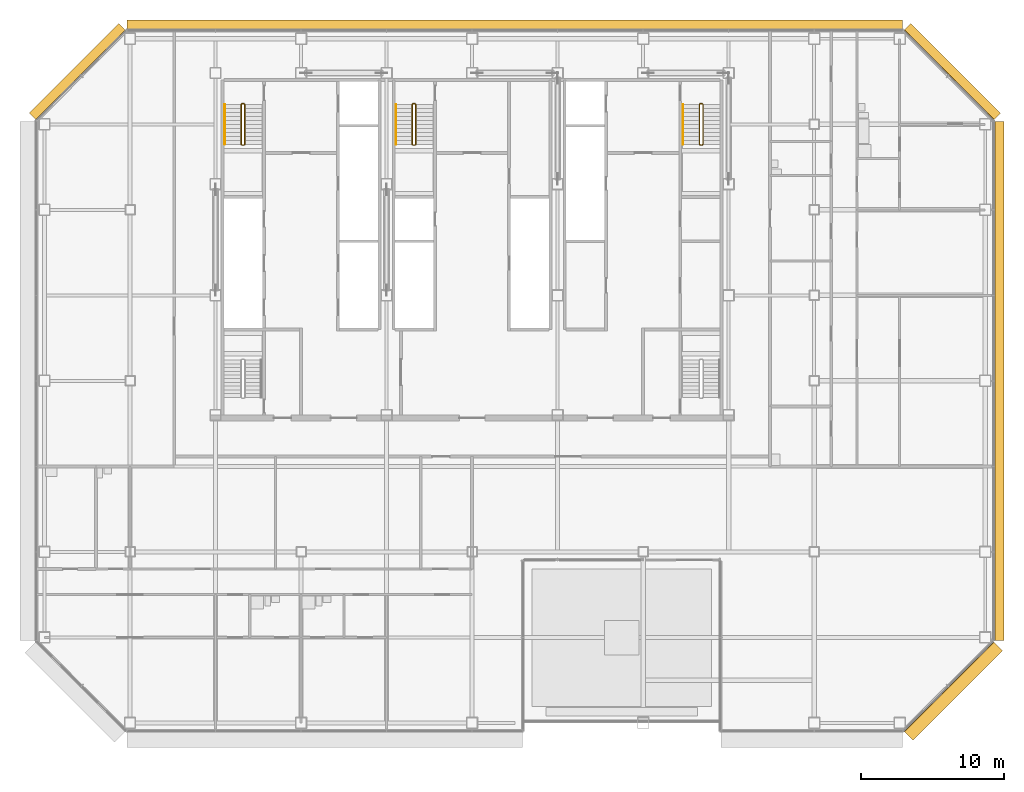
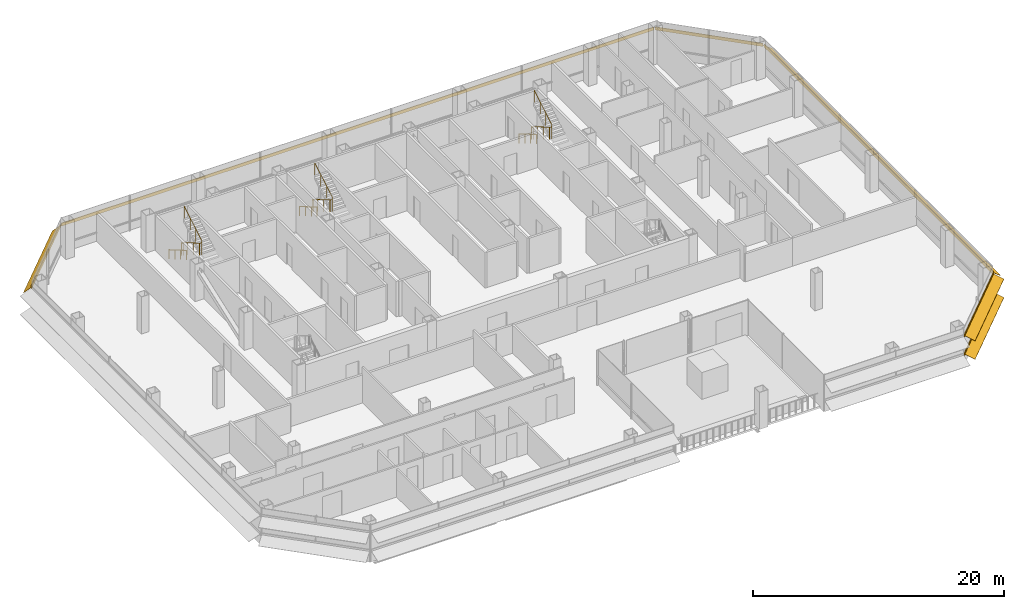
# One storey, part 24 of 26: 6 railings, 5 shading devices.
"""IFC4 building model written with IfcOpenShell, lengths in metres."""

import ifcopenshell
import ifcopenshell.guid

model = None  # the IFC model being written
_history = None  # IfcOwnerHistory: only IFC2X3 demands one
_inside = {}  # id of a spatial element -> (the spatial element, [elements in it])
_under = {}  # id of a project, library or spatial element -> (it, [spatial elements below it])
_declared = {}  # id of a project -> (the project, [libraries it declares])
_typed = {}  # id of a type object -> (the type object, [elements of that type])
_made_of = {}  # id of a material, layer set ... -> (it, [elements and type objects made of it])


def new_model(schema):
    """Start an empty IFC model of exactly this schema.

    Asked for "IFC4X3", IfcOpenShell would pick the latest addendum, in which some entities
    have other attributes; the version numbers below select the first issue.
    IFC2X3 requires an IfcOwnerHistory on every rooted entity: one is made here for all.
    """
    global model, _history
    if schema == "IFC4X3":
        model = ifcopenshell.file(schema_version=(4, 3, 0, 0))
    else:
        model = ifcopenshell.file(schema=schema)
    _inside.clear()
    _under.clear()
    _declared.clear()
    _typed.clear()
    _made_of.clear()
    _history = None
    if model.schema == "IFC2X3":
        org = make("IfcOrganization", Name="unknown")
        user = make(
            "IfcPersonAndOrganization",
            ThePerson=make("IfcPerson", FamilyName="unknown"),
            TheOrganization=org,
        )
        app = make(
            "IfcApplication",
            ApplicationDeveloper=org,
            Version="unknown",
            ApplicationFullName="unknown",
            ApplicationIdentifier="unknown",
        )
        _history = make(
            "IfcOwnerHistory",
            OwningUser=user,
            OwningApplication=app,
            ChangeAction="ADDED",
            CreationDate=0,
        )
    return model


def make(cls, **values):
    """One entity of the class cls with the attributes given. An attribute that is None is left unset."""
    return model.create_entity(
        cls, **{name: value for name, value in values.items() if value is not None}
    )


def rooted(cls, **values):
    """An entity with a GlobalId (a new one), such as an element, a storey or a relation."""
    return make(cls, GlobalId=ifcopenshell.guid.new(), OwnerHistory=_history, **values)


def si_unit(unit_type, name, prefix=None):
    """IfcSIUnit, for example si_unit("LENGTHUNIT", "METRE", prefix="MILLI")."""
    return make("IfcSIUnit", UnitType=unit_type, Prefix=prefix, Name=name)


def assignment(units):
    """IfcUnitAssignment: the units of a project."""
    return None if units is None else make("IfcUnitAssignment", Units=units)


def point(xyz):
    """IfcCartesianPoint."""
    return None if xyz is None else make("IfcCartesianPoint", Coordinates=xyz)


def direction(xyz):
    """IfcDirection."""
    return None if xyz is None else make("IfcDirection", DirectionRatios=xyz)


def frame(location, z_axis=None, x_axis=None):
    """IfcAxis2Placement3D, a coordinate frame: its origin and axes. An axis left out is left unset."""
    return make(
        "IfcAxis2Placement3D",
        Location=point(location),
        Axis=direction(z_axis),
        RefDirection=direction(x_axis),
    )


def frame_2d(location, x_axis=None):
    """IfcAxis2Placement2D, a coordinate frame in the plane: its origin and x axis."""
    return make(
        "IfcAxis2Placement2D", Location=point(location), RefDirection=direction(x_axis)
    )


def origin():
    """The frame at (0, 0, 0) with its axes left unset."""
    return frame((0.0, 0.0, 0.0))


def origin_2d():
    """The frame at (0, 0) in the plane with its x axis left unset."""
    return frame_2d((0.0, 0.0))


def place(relative_to, where):
    """IfcLocalPlacement: puts the frame where relative to a parent placement (None: the world)."""
    return make(
        "IfcLocalPlacement", PlacementRelTo=relative_to, RelativePlacement=where
    )


def context(
    kind, dimensions, precision=None, world=None, true_north=None, identifier=None
):
    """IfcGeometricRepresentationContext, for example the 3D "Model" context."""
    return make(
        "IfcGeometricRepresentationContext",
        ContextIdentifier=identifier,
        ContextType=kind,
        CoordinateSpaceDimension=dimensions,
        Precision=precision,
        WorldCoordinateSystem=world,
        TrueNorth=true_north,
    )


def subcontext(parent, identifier, kind, view, scale=None):
    """IfcGeometricRepresentationSubContext, for example "Body" below "Model"."""
    return make(
        "IfcGeometricRepresentationSubContext",
        ContextIdentifier=identifier,
        ContextType=kind,
        ParentContext=parent,
        TargetScale=scale,
        TargetView=view,
    )


def project(units=None, contexts=None):
    """IfcProject with its units and contexts."""
    return rooted(
        "IfcProject",
        Name="project",
        RepresentationContexts=contexts,
        UnitsInContext=assignment(units),
    )


def spatial(cls, under=None, at=None, **own):
    """A site, building, storey or space (cls), placed at a placement, below another one or the project."""
    s = rooted(cls, ObjectPlacement=at, **own)
    if under is not None:
        _under.setdefault(under.id(), (under, []))[1].append(s)
    return s


def polyline(points):
    """IfcPolyline through the points."""
    return make("IfcPolyline", Points=[point(p) for p in points])


def profile(cls, at=None, kind="AREA", **sizes):
    """A parametric profile (cls). Its sizes go by their IFC names, for example OverallWidth=200.0."""
    return make(cls, ProfileType=kind, Position=at, **sizes)


def circle(**sizes):
    """IfcCircleProfileDef."""
    return profile("IfcCircleProfileDef", **sizes)


def outline(outer, holes=None, kind="AREA"):
    """IfcArbitraryClosedProfileDef: a profile drawn as a closed curve; with holes, ...WithVoids."""
    if holes is None:
        return make("IfcArbitraryClosedProfileDef", ProfileType=kind, OuterCurve=outer)
    return make(
        "IfcArbitraryProfileDefWithVoids",
        ProfileType=kind,
        OuterCurve=outer,
        InnerCurves=holes,
    )


def composite_profile(profiles, kind="AREA"):
    """IfcCompositeProfileDef: several profiles as one."""
    return make("IfcCompositeProfileDef", ProfileType=kind, Profiles=profiles)


def extrude(swept, where, along, depth):
    """IfcExtrudedAreaSolid: the profile swept, set in the frame where, extruded along a direction by depth."""
    return make(
        "IfcExtrudedAreaSolid",
        SweptArea=swept,
        Position=where,
        ExtrudedDirection=direction(along),
        Depth=depth,
    )


def shape(context_of_items, identifier, shape_type, items):
    """IfcShapeRepresentation: the items that make up one representation, for example the "Body"."""
    return make(
        "IfcShapeRepresentation",
        ContextOfItems=context_of_items,
        RepresentationIdentifier=identifier,
        RepresentationType=shape_type,
        Items=items,
    )


def material(Name=None, Category=None):
    """IfcMaterial."""
    return make("IfcMaterial", Name=Name, Category=Category)


def made_of(thing, what):
    """Note that an element or type object is made of a material, layer set ...; save() writes the relation."""
    if what is not None:
        _made_of.setdefault(what.id(), (what, []))[1].append(thing)
    return thing


def type_object(cls, material=None, **own):
    """A type object (cls), such as IfcWallType, which elements share."""
    return made_of(rooted(cls, **own), material)


def element(
    cls,
    number,
    at=None,
    inside=None,
    cuts=None,
    type_object=None,
    material=None,
    context=None,
    identifier="Body",
    shape_type=None,
    held_by="IfcProductDefinitionShape",
    body=None,
    shapes=None,
    **own,
):
    """One element of the class cls, such as IfcWall. Its Tag is "e" and its number.

    at: its placement. inside: the storey or other place that contains it. cuts: it is an
    opening in that element (IfcRelVoidsElement). A single representation is given by context,
    identifier, shape_type and body (its items); several are given by shapes. held_by: the class
    of the entity that holds the representations. save() writes the other relations.
    """
    e = rooted(cls, Tag="e%d" % number, ObjectPlacement=at, **own)
    if body is not None:
        shapes = [shape(context, identifier, shape_type, body)]
    if shapes is not None:
        e.Representation = make(held_by, Representations=shapes)
    if inside is not None:
        _inside.setdefault(inside.id(), (inside, []))[1].append(e)
    if cuts is not None:
        rooted(
            "IfcRelVoidsElement", RelatingBuildingElement=cuts, RelatedOpeningElement=e
        )
    if type_object is not None:
        _typed.setdefault(type_object.id(), (type_object, []))[1].append(e)
    return made_of(e, material)


def aggregate(whole, parts):
    """IfcRelAggregates: a whole, such as a stair, and the parts it consists of."""
    return rooted("IfcRelAggregates", RelatingObject=whole, RelatedObjects=parts)


def save(model, path):
    """Write the relations noted so far, then the file.

    IfcRelAggregates (storeys below a building ...), IfcRelContainedInSpatialStructure (elements
    in a storey), IfcRelDefinesByType, IfcRelAssociatesMaterial and IfcRelDeclares: one each for
    every whole, place, type object, material and project.
    """
    for whole, parts in _under.values():
        aggregate(whole, parts)
    for where, things in _inside.values():
        rooted(
            "IfcRelContainedInSpatialStructure",
            RelatedElements=things,
            RelatingStructure=where,
        )
    for kind, things in _typed.values():
        rooted("IfcRelDefinesByType", RelatedObjects=things, RelatingType=kind)
    for what, things in _made_of.values():
        rooted("IfcRelAssociatesMaterial", RelatedObjects=things, RelatingMaterial=what)
    for by, libraries in _declared.values():
        rooted("IfcRelDeclares", RelatingContext=by, RelatedDefinitions=libraries)
    model.write(path)


model = new_model("IFC4")

# Units and contexts
model_context = context("Model", 3, precision=1e-05, world=origin(), true_north=direction((0.0, 1.0)))
body_context = subcontext(model_context, "Body", "Model", "MODEL_VIEW")
ifc_project = project(units=[si_unit("LENGTHUNIT", "METRE"), si_unit("AREAUNIT", "SQUARE_METRE"), si_unit("VOLUMEUNIT", "CUBIC_METRE"), si_unit("PLANEANGLEUNIT", "RADIAN"), si_unit("MASSUNIT", "GRAM", prefix="KILO")], contexts=[model_context])

# Site, building, storey
site_placement = place(None, origin())
site = spatial("IfcSite", under=ifc_project, at=site_placement, CompositionType="ELEMENT")
building_placement = place(site_placement, origin())
building = spatial("IfcBuilding", under=site, at=building_placement, Name="Sorahane Residences", CompositionType="ELEMENT")
storey_placement = place(building_placement, frame((0.0, 0.0, 103.39990234375)))
storey = spatial("IfcBuildingStorey", under=building, at=storey_placement, Name="L22", CompositionType="ELEMENT", Elevation=103.39990234375)

# Shading devices
ifc_material_1 = material(Name="Terracotta anodised aluminium", Category="masonry")
shading_device_type_1 = type_object("IfcShadingDeviceType", Name="Louvre sunshade blade E terracotta aluminium 700", PredefinedType="JALOUSIE", material=ifc_material_1)
shading_device_1_placement = place(storey_placement, frame((60.60009765625, 5.801513671875, 2.7001953125), z_axis=(0.0, 1.0, 0.0), x_axis=(-1.0, 0.0, 0.0)))
element("IfcShadingDevice", 1, at=shading_device_1_placement, inside=storey, type_object=shading_device_type_1, Name="Louvre sunshade blade bank E L22 E2", PredefinedType="JALOUSIE", context=body_context, shape_type="SweptSolid", body=[
    extrude(outline(polyline([(-0.719970703125, -0.49365234375), (-0.719970703125, -0.523681640625), (-0.080078125, -0.05859375), (-0.080078125, -0.14990234375), (-0.02001953125, -0.14990234375), (-0.02001953125, -0.014892578125), (-0.02001953125, 0.014892578125), (-0.02001953125, 0.14990234375), (-0.080078125, 0.14990234375), (-0.080078125, -0.028564453125), (-0.719970703125, -0.49365234375)])), origin(), (0.0, 0.0, 1.0), 36.39697265625),
])
ifc_material_2 = material(Name="Terracotta anodised aluminium", Category="masonry")
shading_device_type_2 = type_object("IfcShadingDeviceType", Name="Louvre sunshade blade N terracotta aluminium 700", PredefinedType="JALOUSIE", material=ifc_material_2)
shading_device_2_placement = place(storey_placement, frame((54.198486328125, 48.60009765625, 2.7001953125), z_axis=(-1.0, 0.0, 0.0), x_axis=(0.0, -1.0, 0.0)))
element("IfcShadingDevice", 2, at=shading_device_2_placement, inside=storey, type_object=shading_device_type_2, Name="Louvre sunshade blade bank N L22 N1", PredefinedType="JALOUSIE", context=body_context, shape_type="SweptSolid", body=[
    extrude(outline(polyline([(-0.719970703125, -0.660888671875), (-0.719970703125, -0.69091796875), (-0.080078125, -0.072998046875), (-0.080078125, -0.14990234375), (-0.02001953125, -0.14990234375), (-0.02001953125, -0.014892578125), (-0.02001953125, 0.014892578125), (-0.02001953125, 0.14990234375), (-0.080078125, 0.14990234375), (-0.080078125, -0.04296875), (-0.719970703125, -0.660888671875)])), origin(), (0.0, 0.0, 1.0), 54.39697265625),
])
ifc_material_3 = material(Name="Terracotta anodised aluminium", Category="masonry")
shading_device_type_3 = type_object("IfcShadingDeviceType", Name="Louvre sunshade blade NE terracotta aluminium 700", PredefinedType="JALOUSIE", material=ifc_material_3)
shading_device_3_placement = place(storey_placement, frame((60.564697265625, 42.283935546875, 2.7001953125), z_axis=(-0.707106781187, 0.707106781187, 0.0), x_axis=(-0.707106781187, -0.707106781187, 0.0)))
element("IfcShadingDevice", 3, at=shading_device_3_placement, inside=storey, type_object=shading_device_type_3, Name="Louvre sunshade blade bank NE L22 NE1", PredefinedType="JALOUSIE", context=body_context, shape_type="SweptSolid", body=[
    extrude(outline(polyline([(-0.719970703125, -0.572509765625), (-0.719970703125, -0.602294921875), (-0.080078125, -0.065185546875), (-0.080078125, -0.14990234375), (-0.02001953125, -0.14990234375), (-0.02001953125, -0.014892578125), (-0.02001953125, 0.014892578125), (-0.02001953125, 0.14990234375), (-0.080078125, 0.14990234375), (-0.080078125, -0.035400390625), (-0.719970703125, -0.572509765625)])), origin(), (0.0, 0.0, 1.0), 8.88232421875),
])
ifc_material_4 = material(Name="Terracotta anodised aluminium", Category="masonry")
shading_device_type_4 = type_object("IfcShadingDeviceType", Name="Louvre sunshade blade NW terracotta aluminium 700", PredefinedType="JALOUSIE", material=ifc_material_4)
shading_device_4_placement = place(storey_placement, frame((-0.283935546875, 48.564697265625, 2.7001953125), z_axis=(-0.707106781187, -0.707106781187, 0.0), x_axis=(0.707106781187, -0.707106781187, 0.0)))
element("IfcShadingDevice", 4, at=shading_device_4_placement, inside=storey, type_object=shading_device_type_4, Name="Louvre sunshade blade bank NW L22 NW1", PredefinedType="JALOUSIE", context=body_context, shape_type="SweptSolid", body=[
    extrude(outline(polyline([(-0.719970703125, -0.660888671875), (-0.719970703125, -0.69091796875), (-0.080078125, -0.072998046875), (-0.080078125, -0.14990234375), (-0.02001953125, -0.14990234375), (-0.02001953125, -0.014892578125), (-0.02001953125, 0.014892578125), (-0.02001953125, 0.14990234375), (-0.080078125, 0.14990234375), (-0.080078125, -0.04296875), (-0.719970703125, -0.660888671875)])), origin(), (0.0, 0.0, 1.0), 8.88232421875),
])
ifc_material_5 = material(Name="Terracotta anodised aluminium", Category="masonry")
shading_device_type_5 = type_object("IfcShadingDeviceType", Name="Louvre sunshade blade SE terracotta aluminium 900", PredefinedType="JALOUSIE", material=ifc_material_5)
shading_device_5_placement = place(storey_placement, frame((54.283935546875, -0.564697265625, 0.900146484375), z_axis=(0.707106781187, 0.707106781187, 0.0), x_axis=(-0.707106781187, 0.707106781187, 0.0)))
element("IfcShadingDevice", 5, at=shading_device_5_placement, inside=storey, type_object=shading_device_type_5, Name="Louvre sunshade blade bank SE L22 SE1", PredefinedType="JALOUSIE", context=body_context, shape_type="SweptSolid", body=[
    extrude(composite_profile([outline(polyline([(-0.919921875, -0.3486328125), (-0.919921875, -0.378662109375), (-0.080078125, -0.039306640625), (-0.080078125, -0.14990234375), (-0.02001953125, -0.14990234375), (-0.02001953125, -0.014892578125), (-0.02001953125, 0.014892578125), (-0.02001953125, 0.14990234375), (-0.080078125, 0.14990234375), (-0.080078125, -0.00927734375), (-0.919921875, -0.3486328125)])), outline(polyline([(-0.919921875, 1.451416015625), (-0.919921875, 1.42138671875), (-0.080078125, 1.7607421875), (-0.080078125, 1.64990234375), (-0.02001953125, 1.64990234375), (-0.02001953125, 1.784912109375), (-0.02001953125, 1.81494140625), (-0.02001953125, 1.949951171875), (-0.080078125, 1.949951171875), (-0.080078125, 1.790771484375), (-0.919921875, 1.451416015625)]))]), origin(), (0.0, 0.0, 1.0), 8.88232421875),
])

# Railings
ifc_material_6 = material(Name="Steel Q355B", Category="steel")
railing_type_1 = type_object("IfcRailingType", Name="Stair guard 1200 Steel Q355B", PredefinedType="GUARDRAIL", material=ifc_material_6)
railing_1_placement = place(storey_placement, frame((8.0, 43.449951171875, 0.0)))
element("IfcRailing", 6, at=railing_1_placement, inside=storey, type_object=railing_type_1, Name="L22 S1 stair guard 1", PredefinedType="GUARDRAIL", context=body_context, shape_type="SweptSolid", body=[
    extrude(circle(Radius=0.02392578125, at=origin_2d()), frame((0.0, 0.0, 1.17578125), z_axis=(-1.0, 0.0, 0.0), x_axis=(0.0, -1.0, 0.0)), (0.0, 0.0, 1.0), 0.14990234375),
    extrude(circle(Radius=0.02392578125, at=origin_2d()), frame((-0.14990234375, 0.0, 1.17578125), z_axis=(-0.280456126637, -0.280456126637, 0.917980785237), x_axis=(0.707106781187, -0.707106781187, 0.0)), (0.0, 0.0, 1.0), 0.178466796875),
    extrude(circle(Radius=0.02392578125, at=origin_2d()), frame((-0.199951171875, -0.050048828125, 1.33984375), z_axis=(0.0, -0.863374499697, 0.504563646405), x_axis=(1.0, 0.0, 0.0)), (0.0, 0.0, 1.0), 3.242919921875),
    extrude(circle(Radius=0.02392578125, at=origin_2d()), frame((-0.199951171875, -2.849853515625, 2.97607421875), z_axis=(0.707106781187, -0.707106781187, 0.0), x_axis=(0.707106781187, 0.707106781187, 0.0)), (0.0, 0.0, 1.0), 0.07080078125),
    extrude(circle(Radius=0.02392578125, at=origin_2d()), frame((-0.14990234375, -2.89990234375, 2.97607421875), z_axis=(1.0, 0.0, 0.0), x_axis=(0.0, 1.0, 0.0)), (0.0, 0.0, 1.0), 0.14990234375),
    extrude(circle(Radius=0.02392578125, at=origin_2d()), frame((0.0, -2.89990234375, 2.97607421875), z_axis=(0.280808744504, 0.280808744504, 0.917765164963), x_axis=(-0.707106781187, 0.707106781187, 0.0)), (0.0, 0.0, 1.0), 0.17822265625),
    extrude(circle(Radius=0.02392578125, at=origin_2d()), frame((0.050048828125, -2.849853515625, 3.1396484375), z_axis=(0.0, 0.863341702679, 0.504619762213), x_axis=(-1.0, 0.0, 0.0)), (0.0, 0.0, 1.0), 3.242919921875),
    extrude(circle(Radius=0.02099609375, at=origin_2d()), origin(), (0.0, 0.0, 1.0), 1.15185546875),
    extrude(circle(Radius=0.02099609375, at=origin_2d()), frame((-0.14990234375, 0.0, 0.0)), (0.0, 0.0, 1.0), 1.15185546875),
    extrude(circle(Radius=0.02099609375, at=origin_2d()), frame((-0.199951171875, -0.050048828125, 0.163818359375)), (0.0, 0.0, 1.0), 1.15185546875),
    extrude(circle(Radius=0.02099609375, at=origin_2d()), frame((-0.199951171875, -0.9833984375, 0.709228515625)), (0.0, 0.0, 1.0), 1.15185546875),
    extrude(circle(Radius=0.02099609375, at=origin_2d()), frame((-0.199951171875, -1.91650390625, 1.254638671875)), (0.0, 0.0, 1.0), 1.15185546875),
    extrude(circle(Radius=0.02099609375, at=origin_2d()), frame((-0.199951171875, -2.849853515625, 1.800048828125)), (0.0, 0.0, 1.0), 1.15185546875),
    extrude(circle(Radius=0.02099609375, at=origin_2d()), frame((-0.14990234375, -2.89990234375, 1.800048828125)), (0.0, 0.0, 1.0), 1.15185546875),
    extrude(circle(Radius=0.02099609375, at=origin_2d()), frame((0.0, -2.89990234375, 1.800048828125)), (0.0, 0.0, 1.0), 1.15185546875),
    extrude(circle(Radius=0.02099609375, at=origin_2d()), frame((0.050048828125, -2.849853515625, 1.963623046875)), (0.0, 0.0, 1.0), 1.15185546875),
    extrude(circle(Radius=0.02099609375, at=origin_2d()), frame((0.050048828125, -1.91650390625, 2.509033203125)), (0.0, 0.0, 1.0), 1.15185546875),
    extrude(circle(Radius=0.02099609375, at=origin_2d()), frame((0.050048828125, -0.9833984375, 3.0546875)), (0.0, 0.0, 1.0), 1.15185546875),
    extrude(circle(Radius=0.02099609375, at=origin_2d()), frame((0.050048828125, -0.050048828125, 3.60009765625)), (0.0, 0.0, 1.0), 1.15185546875),
])
railing_2_placement = place(storey_placement, frame((40.14990234375, 43.449951171875, 0.0)))
element("IfcRailing", 7, at=railing_2_placement, inside=storey, type_object=railing_type_1, Name="L22 S2 stair guard 1", PredefinedType="GUARDRAIL", context=body_context, shape_type="SweptSolid", body=[
    extrude(circle(Radius=0.02392578125, at=origin_2d()), frame((0.0, 0.0, 1.17578125), z_axis=(-1.0, 0.0, 0.0), x_axis=(0.0, -1.0, 0.0)), (0.0, 0.0, 1.0), 0.14990234375),
    extrude(circle(Radius=0.02392578125, at=origin_2d()), frame((-0.14990234375, 0.0, 1.17578125), z_axis=(-0.280456126637, -0.280456126637, 0.917980785237), x_axis=(0.707106781187, -0.707106781187, 0.0)), (0.0, 0.0, 1.0), 0.178466796875),
    extrude(circle(Radius=0.02392578125, at=origin_2d()), frame((-0.199951171875, -0.050048828125, 1.33984375), z_axis=(0.0, -0.863374499697, 0.504563646405), x_axis=(1.0, 0.0, 0.0)), (0.0, 0.0, 1.0), 3.242919921875),
    extrude(circle(Radius=0.02392578125, at=origin_2d()), frame((-0.199951171875, -2.849853515625, 2.97607421875), z_axis=(0.707106781187, -0.707106781187, 0.0), x_axis=(0.707106781187, 0.707106781187, 0.0)), (0.0, 0.0, 1.0), 0.07080078125),
    extrude(circle(Radius=0.02392578125, at=origin_2d()), frame((-0.14990234375, -2.89990234375, 2.97607421875), z_axis=(1.0, 0.0, 0.0), x_axis=(0.0, 1.0, 0.0)), (0.0, 0.0, 1.0), 0.14990234375),
    extrude(circle(Radius=0.02392578125, at=origin_2d()), frame((0.0, -2.89990234375, 2.97607421875), z_axis=(0.280808744504, 0.280808744504, 0.917765164963), x_axis=(-0.707106781187, 0.707106781187, 0.0)), (0.0, 0.0, 1.0), 0.17822265625),
    extrude(circle(Radius=0.02392578125, at=origin_2d()), frame((0.050048828125, -2.849853515625, 3.1396484375), z_axis=(0.0, 0.863341702679, 0.504619762213), x_axis=(-1.0, 0.0, 0.0)), (0.0, 0.0, 1.0), 3.242919921875),
    extrude(circle(Radius=0.02099609375, at=origin_2d()), origin(), (0.0, 0.0, 1.0), 1.15185546875),
    extrude(circle(Radius=0.02099609375, at=origin_2d()), frame((-0.14990234375, 0.0, 0.0)), (0.0, 0.0, 1.0), 1.15185546875),
    extrude(circle(Radius=0.02099609375, at=origin_2d()), frame((-0.199951171875, -0.050048828125, 0.163818359375)), (0.0, 0.0, 1.0), 1.15185546875),
    extrude(circle(Radius=0.02099609375, at=origin_2d()), frame((-0.199951171875, -0.9833984375, 0.709228515625)), (0.0, 0.0, 1.0), 1.15185546875),
    extrude(circle(Radius=0.02099609375, at=origin_2d()), frame((-0.199951171875, -1.91650390625, 1.254638671875)), (0.0, 0.0, 1.0), 1.15185546875),
    extrude(circle(Radius=0.02099609375, at=origin_2d()), frame((-0.199951171875, -2.849853515625, 1.800048828125)), (0.0, 0.0, 1.0), 1.15185546875),
    extrude(circle(Radius=0.02099609375, at=origin_2d()), frame((-0.14990234375, -2.89990234375, 1.800048828125)), (0.0, 0.0, 1.0), 1.15185546875),
    extrude(circle(Radius=0.02099609375, at=origin_2d()), frame((0.0, -2.89990234375, 1.800048828125)), (0.0, 0.0, 1.0), 1.15185546875),
    extrude(circle(Radius=0.02099609375, at=origin_2d()), frame((0.050048828125, -2.849853515625, 1.963623046875)), (0.0, 0.0, 1.0), 1.15185546875),
    extrude(circle(Radius=0.02099609375, at=origin_2d()), frame((0.050048828125, -1.91650390625, 2.509033203125)), (0.0, 0.0, 1.0), 1.15185546875),
    extrude(circle(Radius=0.02099609375, at=origin_2d()), frame((0.050048828125, -0.9833984375, 3.0546875)), (0.0, 0.0, 1.0), 1.15185546875),
    extrude(circle(Radius=0.02099609375, at=origin_2d()), frame((0.050048828125, -0.050048828125, 3.60009765625)), (0.0, 0.0, 1.0), 1.15185546875),
])
railing_3_placement = place(storey_placement, frame((20.0, 43.449951171875, 0.0)))
element("IfcRailing", 8, at=railing_3_placement, inside=storey, type_object=railing_type_1, Name="L22 S3 stair guard 1", PredefinedType="GUARDRAIL", context=body_context, shape_type="SweptSolid", body=[
    extrude(circle(Radius=0.02392578125, at=origin_2d()), frame((0.0, 0.0, 1.17578125), z_axis=(-1.0, 0.0, 0.0), x_axis=(0.0, -1.0, 0.0)), (0.0, 0.0, 1.0), 0.14990234375),
    extrude(circle(Radius=0.02392578125, at=origin_2d()), frame((-0.14990234375, 0.0, 1.17578125), z_axis=(-0.280456126637, -0.280456126637, 0.917980785237), x_axis=(0.707106781187, -0.707106781187, 0.0)), (0.0, 0.0, 1.0), 0.178466796875),
    extrude(circle(Radius=0.02392578125, at=origin_2d()), frame((-0.199951171875, -0.050048828125, 1.33984375), z_axis=(0.0, -0.863374499697, 0.504563646405), x_axis=(1.0, 0.0, 0.0)), (0.0, 0.0, 1.0), 3.242919921875),
    extrude(circle(Radius=0.02392578125, at=origin_2d()), frame((-0.199951171875, -2.849853515625, 2.97607421875), z_axis=(0.707106781187, -0.707106781187, 0.0), x_axis=(0.707106781187, 0.707106781187, 0.0)), (0.0, 0.0, 1.0), 0.07080078125),
    extrude(circle(Radius=0.02392578125, at=origin_2d()), frame((-0.14990234375, -2.89990234375, 2.97607421875), z_axis=(1.0, 0.0, 0.0), x_axis=(0.0, 1.0, 0.0)), (0.0, 0.0, 1.0), 0.14990234375),
    extrude(circle(Radius=0.02392578125, at=origin_2d()), frame((0.0, -2.89990234375, 2.97607421875), z_axis=(0.280808744504, 0.280808744504, 0.917765164963), x_axis=(-0.707106781187, 0.707106781187, 0.0)), (0.0, 0.0, 1.0), 0.17822265625),
    extrude(circle(Radius=0.02392578125, at=origin_2d()), frame((0.050048828125, -2.849853515625, 3.1396484375), z_axis=(0.0, 0.863341702679, 0.504619762213), x_axis=(-1.0, 0.0, 0.0)), (0.0, 0.0, 1.0), 3.242919921875),
    extrude(circle(Radius=0.02099609375, at=origin_2d()), origin(), (0.0, 0.0, 1.0), 1.15185546875),
    extrude(circle(Radius=0.02099609375, at=origin_2d()), frame((-0.14990234375, 0.0, 0.0)), (0.0, 0.0, 1.0), 1.15185546875),
    extrude(circle(Radius=0.02099609375, at=origin_2d()), frame((-0.199951171875, -0.050048828125, 0.163818359375)), (0.0, 0.0, 1.0), 1.15185546875),
    extrude(circle(Radius=0.02099609375, at=origin_2d()), frame((-0.199951171875, -0.9833984375, 0.709228515625)), (0.0, 0.0, 1.0), 1.15185546875),
    extrude(circle(Radius=0.02099609375, at=origin_2d()), frame((-0.199951171875, -1.91650390625, 1.254638671875)), (0.0, 0.0, 1.0), 1.15185546875),
    extrude(circle(Radius=0.02099609375, at=origin_2d()), frame((-0.199951171875, -2.849853515625, 1.800048828125)), (0.0, 0.0, 1.0), 1.15185546875),
    extrude(circle(Radius=0.02099609375, at=origin_2d()), frame((-0.14990234375, -2.89990234375, 1.800048828125)), (0.0, 0.0, 1.0), 1.15185546875),
    extrude(circle(Radius=0.02099609375, at=origin_2d()), frame((0.0, -2.89990234375, 1.800048828125)), (0.0, 0.0, 1.0), 1.15185546875),
    extrude(circle(Radius=0.02099609375, at=origin_2d()), frame((0.050048828125, -2.849853515625, 1.963623046875)), (0.0, 0.0, 1.0), 1.15185546875),
    extrude(circle(Radius=0.02099609375, at=origin_2d()), frame((0.050048828125, -1.91650390625, 2.509033203125)), (0.0, 0.0, 1.0), 1.15185546875),
    extrude(circle(Radius=0.02099609375, at=origin_2d()), frame((0.050048828125, -0.9833984375, 3.0546875)), (0.0, 0.0, 1.0), 1.15185546875),
    extrude(circle(Radius=0.02099609375, at=origin_2d()), frame((0.050048828125, -0.050048828125, 3.60009765625)), (0.0, 0.0, 1.0), 1.15185546875),
])
ifc_material_7 = material(Name="Steel Q355B", Category="steel")
railing_type_2 = type_object("IfcRailingType", Name="Stair handrail 900 Steel Q355B", PredefinedType="HANDRAIL", material=ifc_material_7)
for number, where, name in (
    (9, (6.64990234375, 43.39990234375, 0.163818359375), "L22 S1 stair handrail 1"),
    (10, (38.800048828125, 43.39990234375, 0.163818359375), "L22 S2 stair handrail 1"),
    (11, (18.64990234375, 43.39990234375, 0.163818359375), "L22 S3 stair handrail 1"),
):
    element("IfcRailing", number, at=place(storey_placement, frame(where)), inside=storey, type_object=railing_type_2, Name=name, PredefinedType="HANDRAIL", context=body_context, shape_type="SweptSolid", body=[
        extrude(circle(Radius=0.02392578125, at=origin_2d()), frame((0.0, 0.0, 0.8759765625), z_axis=(0.0, -0.863374499697, 0.504563646405), x_axis=(1.0, 0.0, 0.0)), (0.0, 0.0, 1.0), 3.242919921875),
        extrude(circle(Radius=0.02099609375, at=origin_2d()), origin(), (0.0, 0.0, 1.0), 0.851806640625),
        extrude(circle(Radius=0.02099609375, at=origin_2d()), frame((0.0, -0.933349609375, 0.54541015625)), (0.0, 0.0, 1.0), 0.851806640625),
        extrude(circle(Radius=0.02099609375, at=origin_2d()), frame((0.0, -1.866455078125, 1.0908203125)), (0.0, 0.0, 1.0), 0.851806640625),
        extrude(circle(Radius=0.02099609375, at=origin_2d()), frame((0.0, -2.7998046875, 1.63623046875)), (0.0, 0.0, 1.0), 0.851806640625),
    ])

save(model, "model.ifc")
